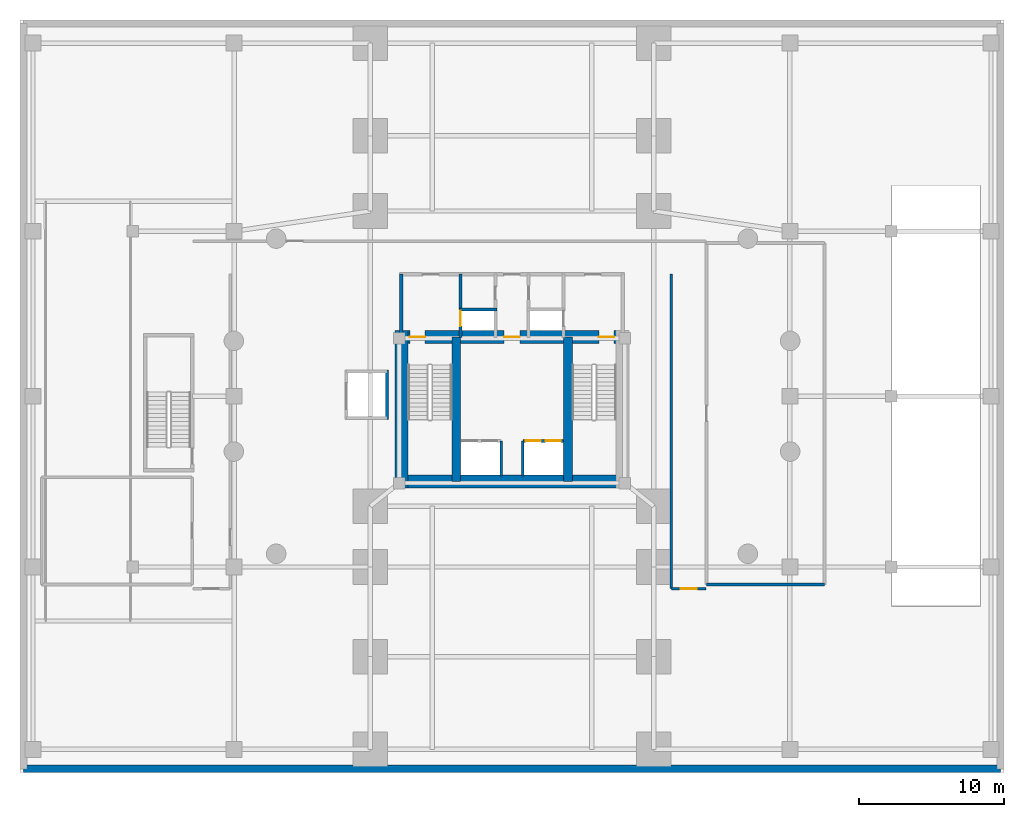
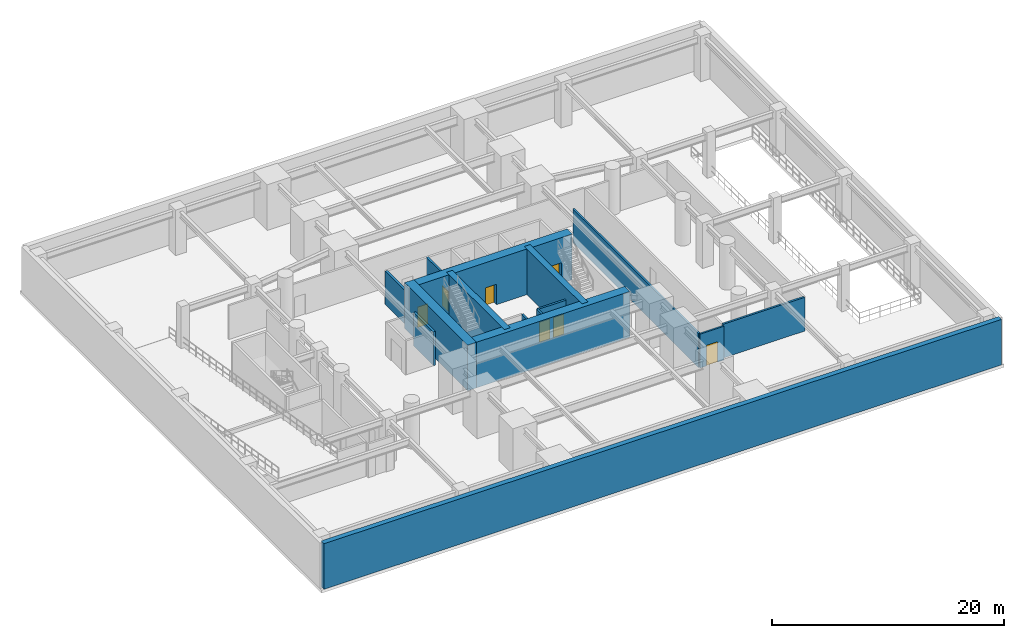
# One storey, part 3 of 7: 16 walls, 7 doors, 7 openings.
"""IFC4 building model written with IfcOpenShell, lengths in metres."""

from ifc_helpers import new_model, si_unit, direction, frame, frame_2d, origin, place, context, subcontext, project, spatial, rectangle, extrude, material, layer, layer_set, type_object, element, fill, save


model = new_model("IFC4")

# Units and contexts
model_context = context("Model", 3, precision=1e-05, world=origin(), true_north=direction((0.0, 1.0)))
body_context = subcontext(model_context, "Body", "Model", "MODEL_VIEW")
ifc_project = project(units=[si_unit("LENGTHUNIT", "METRE"), si_unit("AREAUNIT", "SQUARE_METRE"), si_unit("VOLUMEUNIT", "CUBIC_METRE"), si_unit("PLANEANGLEUNIT", "RADIAN"), si_unit("MASSUNIT", "GRAM", prefix="KILO"), si_unit("THERMODYNAMICTEMPERATUREUNIT", "KELVIN"), si_unit("POWERUNIT", "WATT")], contexts=[model_context])

# Site, building, storey
site_placement = place(None, origin())
site = spatial("IfcSite", under=ifc_project, at=site_placement, CompositionType="ELEMENT")
building_placement = place(site_placement, origin())
building = spatial("IfcBuilding", under=site, at=building_placement, Name="Ocrelia Relay Tower", CompositionType="ELEMENT")
storey_placement = place(building_placement, frame((0.0, 0.0, -4.800048828125)))
storey = spatial("IfcBuildingStorey", under=building, at=storey_placement, Name="B1", CompositionType="ELEMENT", Elevation=-4.800048828125)

# Wall
ifc_material_1 = material(Name="Concrete C70/85", Category="concrete")
ifc_layer_1 = layer(ifc_material_1, 0.89990234375, Name="Concrete C70/85")
ifc_layer_set_1 = layer_set([ifc_layer_1], Name="Concrete C70/85")
wall_type_1 = type_object("IfcWallType", Name="CW-CORE-900", PredefinedType="SHEAR", material=ifc_layer_set_1)
wall_1_placement = place(storey_placement, frame((25.922119140625, 20.112060546875, 0.0), z_axis=(0.0, 0.0, 1.0), x_axis=(1.0, 0.0, 0.0)))
element("IfcWall", 1, at=wall_1_placement, inside=storey, type_object=wall_type_1, Name="B1 Core Shear Wall S", PredefinedType="SHEAR", context=body_context, shape_type="SweptSolid", body=[
    extrude(rectangle(XDim=16.165771484375, YDim=0.89990234375, at=frame_2d((8.0830078125, 0.0))), origin(), (0.0, 0.0, 1.0), 4.800048828125),
])

# Wall, openings, doors
wall_2_placement = place(storey_placement, frame((25.922119140625, 30.087890625, 0.0), z_axis=(0.0, 0.0, 1.0), x_axis=(1.0, 0.0, 0.0)))
wall_2 = element("IfcWall", 2, at=wall_2_placement, inside=storey, type_object=wall_type_1, Name="B1 Core Shear Wall N", PredefinedType="SHEAR", context=body_context, shape_type="SweptSolid", body=[
    extrude(rectangle(XDim=16.165771484375, YDim=0.89990234375, at=frame_2d((8.0830078125, 0.0))), origin(), (0.0, 0.0, 1.0), 4.800048828125),
])
opening_1_placement = place(wall_2_placement, frame((1.028076171875, 0.0, 0.0)))
opening_1 = element("IfcOpeningElement", 3, at=opening_1_placement, cuts=wall_2, Name="Opening D-FD90", PredefinedType="OPENING", context=body_context, shape_type="SweptSolid", body=[
    extrude(rectangle(XDim=1.050048828125, YDim=2.14990234375, at=frame_2d((0.52490234375, 1.074951171875))), frame((0.0, 0.4599609375, 0.0), z_axis=(0.0, -1.0, 0.0), x_axis=(1.0, 0.0, 0.0)), (0.0, 0.0, 1.0), 0.919921875),
])
opening_2_placement = place(wall_2_placement, frame((14.077880859375, 0.0, 0.0)))
opening_2 = element("IfcOpeningElement", 4, at=opening_2_placement, cuts=wall_2, Name="Opening D-FD90", PredefinedType="OPENING", context=body_context, shape_type="SweptSolid", body=[
    extrude(rectangle(XDim=1.050048828125, YDim=2.14990234375, at=frame_2d((0.52490234375, 1.074951171875))), frame((0.0, 0.4599609375, 0.0), z_axis=(0.0, -1.0, 0.0), x_axis=(1.0, 0.0, 0.0)), (0.0, 0.0, 1.0), 0.919921875),
])
opening_3_placement = place(wall_2_placement, frame((7.528076171875, 0.0, 0.0)))
opening_3 = element("IfcOpeningElement", 5, at=opening_3_placement, cuts=wall_2, Name="Opening D-FD60", PredefinedType="OPENING", context=body_context, shape_type="SweptSolid", body=[
    extrude(rectangle(XDim=1.10009765625, YDim=2.14990234375, at=frame_2d((0.550048828125, 1.074951171875))), frame((0.0, 0.4599609375, 0.0), z_axis=(0.0, -1.0, 0.0), x_axis=(1.0, 0.0, 0.0)), (0.0, 0.0, 1.0), 0.919921875),
])
ifc_material_2 = material(Name="Timber-core 60-min acoustic fire door", Category="wood")
door_type_1 = type_object("IfcDoorType", Name="DR-LOBBY-FD60-1100", OperationType="NOTDEFINED", PredefinedType="DOOR", material=ifc_material_2)
door_1_placement = place(opening_3_placement, origin())
door_1 = element("IfcDoor", 6, at=door_1_placement, inside=storey, type_object=door_type_1, Name="B1 Core Lift Lobby North Fire Door", OperationType="SINGLE_SWING_LEFT", OverallHeight=2.14990234375, OverallWidth=1.10009765625, PredefinedType="DOOR", context=body_context, shape_type="SweptSolid", body=[
    extrude(rectangle(XDim=1.10009765625, YDim=2.14990234375, at=frame_2d((0.550048828125, 1.074951171875))), frame((0.0, 0.02490234375, 0.0), z_axis=(0.0, -1.0, 0.0), x_axis=(1.0, 0.0, 0.0)), (0.0, 0.0, 1.0), 0.050048828125),
])
fill(opening_3, door_1)
ifc_material_3 = material(Name="Steel S355 90-min fire door", Category="steel")
door_type_2 = type_object("IfcDoorType", Name="DR-STAIR-FD90-1050", OperationType="NOTDEFINED", PredefinedType="DOOR", material=ifc_material_3)
door_2_placement = place(opening_1_placement, origin())
door_2 = element("IfcDoor", 7, at=door_2_placement, inside=storey, type_object=door_type_2, Name="B1 Stair ST1 Fire Door", OperationType="SINGLE_SWING_LEFT", OverallHeight=2.14990234375, OverallWidth=1.050048828125, PredefinedType="DOOR", context=body_context, shape_type="SweptSolid", body=[
    extrude(rectangle(XDim=1.050048828125, YDim=2.14990234375, at=frame_2d((0.52490234375, 1.074951171875))), frame((0.0, 0.02490234375, 0.0), z_axis=(0.0, -1.0, 0.0), x_axis=(1.0, 0.0, 0.0)), (0.0, 0.0, 1.0), 0.050048828125),
])
fill(opening_1, door_2)
door_3_placement = place(opening_2_placement, origin())
door_3 = element("IfcDoor", 8, at=door_3_placement, inside=storey, type_object=door_type_2, Name="B1 Stair ST2 Fire Door", OperationType="SINGLE_SWING_RIGHT", OverallHeight=2.14990234375, OverallWidth=1.050048828125, PredefinedType="DOOR", context=body_context, shape_type="SweptSolid", body=[
    extrude(rectangle(XDim=1.050048828125, YDim=2.14990234375, at=frame_2d((0.52490234375, 1.074951171875))), frame((0.0, 0.02490234375, 0.0), z_axis=(0.0, -1.0, 0.0), x_axis=(1.0, 0.0, 0.0)), (0.0, 0.0, 1.0), 0.050048828125),
])
fill(opening_2, door_3)

# Walls
wall_3_placement = place(storey_placement, frame((26.3720703125, 19.662109375, 0.0), z_axis=(0.0, 0.0, 1.0), x_axis=(0.0, 1.0, 0.0)))
element("IfcWall", 9, at=wall_3_placement, inside=storey, type_object=wall_type_1, Name="B1 Core Shear Wall W", PredefinedType="SHEAR", context=body_context, shape_type="SweptSolid", body=[
    extrude(rectangle(XDim=10.8759765625, YDim=0.89990234375, at=frame_2d((5.43798828125, 0.0))), origin(), (0.0, 0.0, 1.0), 4.800048828125),
])
for number, where, z_axis, x_axis, name in (
    (10, (30.137939453125, 20.112060546875, 0.0), (0.0, 0.0, 1.0), (0.0, 1.0, 0.0), "B1 Core Shear Wall SPW"),
    (11, (37.8720703125, 20.112060546875, 0.0), (0.0, 0.0, 1.0), (0.0, 1.0, 0.0), "B1 Core Shear Wall SPE"),
):
    element("IfcWall", number, at=place(storey_placement, frame(where, z_axis=z_axis, x_axis=x_axis)), inside=storey, type_object=wall_type_1, Name=name, PredefinedType="SHEAR", context=body_context, shape_type="SweptSolid", body=[
        extrude(rectangle(XDim=9.975830078125, YDim=0.60009765625, at=frame_2d((4.98779296875, 0.0))), origin(), (0.0, 0.0, 1.0), 4.800048828125),
    ])
ifc_material_4 = material(Name="Gypsum Fireboard Partition EI60", Category="gypsum")
ifc_layer_2 = layer(ifc_material_4, 0.179931640625, Name="Gypsum Fireboard Partition EI60")
ifc_layer_set_2 = layer_set([ifc_layer_2], Name="Gypsum Fireboard Partition EI60")
wall_type_2 = type_object("IfcWallType", Name="W-CORR-EI60-180", PredefinedType="PARTITIONING", material=ifc_layer_set_2)
wall_4_placement = place(storey_placement, frame((45.010009765625, 12.699951171875, 0.0), z_axis=(0.0, 0.0, 1.0), x_axis=(0.0, 1.0, 0.0)))
element("IfcWall", 12, at=wall_4_placement, inside=storey, type_object=wall_type_2, Name="B1 Basement Corridor East Inner Wall", PredefinedType="PARTITIONING", context=body_context, shape_type="SweptSolid", body=[
    extrude(rectangle(XDim=21.72998046875, YDim=0.179931640625, at=frame_2d((10.864990234375, 0.0))), origin(), (0.0, 0.0, 1.0), 3.56005859375),
])

# Wall, opening, door
wall_5_placement = place(storey_placement, frame((45.010009765625, 12.699951171875, 0.0), z_axis=(0.0, 0.0, 1.0), x_axis=(1.0, 0.0, 0.0)))
wall_5 = element("IfcWall", 13, at=wall_5_placement, inside=storey, type_object=wall_type_2, Name="B1 Basement Corridor East South End Wall", PredefinedType="PARTITIONING", context=body_context, shape_type="SweptSolid", body=[
    extrude(rectangle(XDim=2.389892578125, YDim=0.179931640625, at=frame_2d((1.19482421875, 0.0))), origin(), (0.0, 0.0, 1.0), 3.56005859375),
])
opening_4_placement = place(wall_5_placement, frame((0.64990234375, 0.0, 0.0)))
opening_4 = element("IfcOpeningElement", 14, at=opening_4_placement, cuts=wall_5, Name="Opening D-FD60", PredefinedType="OPENING", context=body_context, shape_type="SweptSolid", body=[
    extrude(rectangle(XDim=1.10009765625, YDim=2.14990234375, at=frame_2d((0.550048828125, 1.074951171875))), frame((0.0, 0.10009765625, 0.0), z_axis=(0.0, -1.0, 0.0), x_axis=(1.0, 0.0, 0.0)), (0.0, 0.0, 1.0), 0.199951171875),
])
door_4_placement = place(opening_4_placement, origin())
door_4 = element("IfcDoor", 15, at=door_4_placement, inside=storey, type_object=door_type_1, Name="B1 Car Park East Aisle Fire Door", OperationType="SINGLE_SWING_LEFT", OverallHeight=2.14990234375, OverallWidth=1.10009765625, PredefinedType="DOOR", context=body_context, shape_type="SweptSolid", body=[
    extrude(rectangle(XDim=1.10009765625, YDim=2.14990234375, at=frame_2d((0.550048828125, 1.074951171875))), frame((0.0, 0.02490234375, 0.0), z_axis=(0.0, -1.0, 0.0), x_axis=(1.0, 0.0, 0.0)), (0.0, 0.0, 1.0), 0.050048828125),
])
fill(opening_4, door_4)

# Wall
ifc_material_5 = material(Name="Concrete C50/60", Category="concrete")
ifc_layer_3 = layer(ifc_material_5, 0.219970703125, Name="Concrete C50/60")
ifc_layer_set_3 = layer_set([ifc_layer_3], Name="Concrete C50/60")
wall_type_3 = type_object("IfcWallType", Name="W-FFL-EI120-220", PredefinedType="SOLIDWALL", material=ifc_layer_set_3)
wall_6_placement = place(storey_placement, frame((26.35009765625, 30.050048828125, 0.0), z_axis=(0.0, 0.0, 1.0), x_axis=(0.0, 1.0, 0.0)))
element("IfcWall", 16, at=wall_6_placement, inside=storey, type_object=wall_type_3, Name="B1 W Fire Service Lift Lobby West Wall", PredefinedType="SOLIDWALL", context=body_context, shape_type="SweptSolid", body=[
    extrude(rectangle(XDim=4.3798828125, YDim=0.219970703125, at=frame_2d((2.18994140625, 0.0))), origin(), (0.0, 0.0, 1.0), 3.56005859375),
])

# Wall, opening, door
wall_7_placement = place(storey_placement, frame((30.43994140625, 30.050048828125, 0.0), z_axis=(0.0, 0.0, 1.0), x_axis=(0.0, 1.0, 0.0)))
wall_7 = element("IfcWall", 17, at=wall_7_placement, inside=storey, type_object=wall_type_3, Name="B1 W Fire Service Lift Lobby East Wall", PredefinedType="SOLIDWALL", context=body_context, shape_type="SweptSolid", body=[
    extrude(rectangle(XDim=4.3798828125, YDim=0.219970703125, at=frame_2d((2.18994140625, 0.0))), origin(), (0.0, 0.0, 1.0), 3.56005859375),
])
opening_5_placement = place(wall_7_placement, frame((0.800048828125, 0.0, 0.0)))
opening_5 = element("IfcOpeningElement", 18, at=opening_5_placement, cuts=wall_7, Name="Opening LD-FFL1", PredefinedType="OPENING", context=body_context, shape_type="SweptSolid", body=[
    extrude(rectangle(XDim=1.050048828125, YDim=2.10009765625, at=frame_2d((0.52490234375, 1.050048828125))), frame((0.0, 0.1201171875, 0.0), z_axis=(0.0, -1.0, 0.0), x_axis=(1.0, 0.0, 0.0)), (0.0, 0.0, 1.0), 0.239990234375),
])
ifc_material_6 = material(Name="Brushed stainless steel S355 lift landing door", Category="steel")
door_type_3 = type_object("IfcDoorType", Name="DR-LIFT-LAND-1050", OperationType="DOUBLE_DOOR_SLIDING", PredefinedType="USERDEFINED", material=ifc_material_6)
door_5_placement = place(opening_5_placement, origin())
door_5 = element("IfcDoor", 19, at=door_5_placement, inside=storey, type_object=door_type_3, Name="B1 Firefighting Lift FFL1 Sliding Landing Door", ObjectType="LANDING DOOR", OperationType="DOUBLE_DOOR_SLIDING", OverallHeight=2.10009765625, OverallWidth=1.050048828125, PredefinedType="USERDEFINED", context=body_context, shape_type="SweptSolid", body=[
    extrude(rectangle(XDim=1.050048828125, YDim=2.10009765625, at=frame_2d((0.52490234375, 1.050048828125))), frame((0.0, 0.02490234375, 0.0), z_axis=(0.0, -1.0, 0.0), x_axis=(1.0, 0.0, 0.0)), (0.0, 0.0, 1.0), 0.050048828125),
])
fill(opening_5, door_5)

# Walls
ifc_layer_4 = layer(ifc_material_5, 0.5, Name="Concrete C50/60")
ifc_layer_set_4 = layer_set([ifc_layer_4], Name="Concrete C50/60")
wall_type_4 = type_object("IfcWallType", Name="W-RET-500", PredefinedType="SOLIDWALL", material=ifc_layer_set_4)
wall_8_placement = place(storey_placement, frame((0.25, 0.25, 0.0), z_axis=(0.0, 0.0, 1.0), x_axis=(1.0, 0.0, 0.0)))
element("IfcWall", 20, at=wall_8_placement, inside=storey, type_object=wall_type_4, Name="B1 Perimeter Retaining Wall S", PredefinedType="SOLIDWALL", context=body_context, shape_type="SweptSolid", body=[
    extrude(rectangle(XDim=67.5, YDim=0.5, at=frame_2d((33.75, 0.0))), origin(), (0.0, 0.0, 1.0), 4.800048828125),
])
ifc_layer_5 = layer(ifc_material_5, 0.199951171875, Name="Concrete C50/60")
ifc_layer_set_5 = layer_set([ifc_layer_5], Name="Concrete C50/60")
wall_type_5 = type_object("IfcWallType", Name="W-SHAFT-EI120-200", PredefinedType="SOLIDWALL", material=ifc_layer_set_5)
wall_9_placement = place(storey_placement, frame((30.39990234375, 32.0, 0.0), z_axis=(0.0, 0.0, 1.0), x_axis=(1.0, 0.0, 0.0)))
element("IfcWall", 21, at=wall_9_placement, inside=storey, type_object=wall_type_5, Name="B1 FFL1 Hoistway North Wall", PredefinedType="SOLIDWALL", context=body_context, shape_type="SweptSolid", body=[
    extrude(rectangle(XDim=2.550048828125, YDim=0.199951171875, at=frame_2d((1.27490234375, 0.0))), origin(), (0.0, 0.0, 1.0), 3.56005859375),
])
wall_10_placement = place(storey_placement, frame((33.25, 20.5, 0.0), z_axis=(0.0, 0.0, 1.0), x_axis=(0.0, 1.0, 0.0)))
element("IfcWall", 22, at=wall_10_placement, inside=storey, type_object=wall_type_5, Name="B1 Low-Rise Lift Throat Wall W", PredefinedType="SOLIDWALL", context=body_context, shape_type="SweptSolid", body=[
    extrude(rectangle(XDim=2.419921875, YDim=0.179931640625, at=frame_2d((1.2099609375, 0.0))), origin(), (0.0, 0.0, 1.0), 3.56005859375),
])

# Wall, openings, doors
wall_11_placement = place(storey_placement, frame((34.75, 22.919921875, 0.0), z_axis=(0.0, 0.0, 1.0), x_axis=(1.0, 0.0, 0.0)))
wall_11 = element("IfcWall", 23, at=wall_11_placement, inside=storey, type_object=wall_type_5, Name="B1 Low-Rise Lift Hoistway Wall E", PredefinedType="SOLIDWALL", context=body_context, shape_type="SweptSolid", body=[
    extrude(rectangle(XDim=2.81005859375, YDim=0.199951171875, at=frame_2d((1.405029296875, 0.0))), origin(), (0.0, 0.0, 1.0), 3.56005859375),
])
opening_6_placement = place(wall_11_placement, frame((0.18994140625, 0.0, 0.0)))
opening_6 = element("IfcOpeningElement", 24, at=opening_6_placement, cuts=wall_11, Name="Opening LD-PL3", PredefinedType="OPENING", context=body_context, shape_type="SweptSolid", body=[
    extrude(rectangle(XDim=1.050048828125, YDim=2.10009765625, at=frame_2d((0.52490234375, 1.050048828125))), frame((0.0, 0.10986328125, 0.0), z_axis=(0.0, -1.0, 0.0), x_axis=(1.0, 0.0, 0.0)), (0.0, 0.0, 1.0), 0.219970703125),
])
opening_7_placement = place(wall_11_placement, frame((1.570068359375, 0.0, 0.0)))
opening_7 = element("IfcOpeningElement", 25, at=opening_7_placement, cuts=wall_11, Name="Opening LD-PL4", PredefinedType="OPENING", context=body_context, shape_type="SweptSolid", body=[
    extrude(rectangle(XDim=1.050048828125, YDim=2.10009765625, at=frame_2d((0.52490234375, 1.050048828125))), frame((0.0, 0.10986328125, 0.0), z_axis=(0.0, -1.0, 0.0), x_axis=(1.0, 0.0, 0.0)), (0.0, 0.0, 1.0), 0.219970703125),
])
door_6_placement = place(opening_6_placement, origin())
door_6 = element("IfcDoor", 26, at=door_6_placement, inside=storey, type_object=door_type_3, Name="B1 Passenger Lift PL3 Sliding Landing Door", ObjectType="LANDING DOOR", OperationType="DOUBLE_DOOR_SLIDING", OverallHeight=2.10009765625, OverallWidth=1.050048828125, PredefinedType="USERDEFINED", context=body_context, shape_type="SweptSolid", body=[
    extrude(rectangle(XDim=1.050048828125, YDim=2.10009765625, at=frame_2d((0.52490234375, 1.050048828125))), frame((0.0, 0.02490234375, 0.0), z_axis=(0.0, -1.0, 0.0), x_axis=(1.0, 0.0, 0.0)), (0.0, 0.0, 1.0), 0.050048828125),
])
fill(opening_6, door_6)
door_7_placement = place(opening_7_placement, origin())
door_7 = element("IfcDoor", 27, at=door_7_placement, inside=storey, type_object=door_type_3, Name="B1 Passenger Lift PL4 Sliding Landing Door", ObjectType="LANDING DOOR", OperationType="DOUBLE_DOOR_SLIDING", OverallHeight=2.10009765625, OverallWidth=1.050048828125, PredefinedType="USERDEFINED", context=body_context, shape_type="SweptSolid", body=[
    extrude(rectangle(XDim=1.050048828125, YDim=2.10009765625, at=frame_2d((0.52490234375, 1.050048828125))), frame((0.0, 0.02490234375, 0.0), z_axis=(0.0, -1.0, 0.0), x_axis=(1.0, 0.0, 0.0)), (0.0, 0.0, 1.0), 0.050048828125),
])
fill(opening_7, door_7)

# Walls
wall_12_placement = place(storey_placement, frame((34.75, 20.5, 0.0), z_axis=(0.0, 0.0, 1.0), x_axis=(0.0, 1.0, 0.0)))
element("IfcWall", 28, at=wall_12_placement, inside=storey, type_object=wall_type_5, Name="B1 Low-Rise Lift Throat Wall E", PredefinedType="SOLIDWALL", context=body_context, shape_type="SweptSolid", body=[
    extrude(rectangle(XDim=2.419921875, YDim=0.179931640625, at=frame_2d((1.2099609375, 0.0))), origin(), (0.0, 0.0, 1.0), 3.56005859375),
])
wall_13_placement = place(storey_placement, frame((25.35009765625, 24.39990234375, 0.0), z_axis=(0.0, 0.0, 1.0), x_axis=(0.0, 1.0, 0.0)))
element("IfcWall", 29, at=wall_13_placement, inside=storey, type_object=wall_type_5, Name="B1 Goods Lift Shaft E Wall", PredefinedType="SOLIDWALL", context=body_context, shape_type="SweptSolid", body=[
    extrude(rectangle(XDim=3.400146484375, YDim=0.199951171875, at=frame_2d((1.7001953125, 0.0))), origin(), (0.0, 0.0, 1.0), 3.56005859375),
])
wall_14_placement = place(storey_placement, frame((47.449951171875, 13.0, 0.0), z_axis=(0.0, 0.0, 1.0), x_axis=(1.0, 0.0, 0.0)))
element("IfcWall", 30, at=wall_14_placement, inside=storey, type_object=wall_type_5, Name="B1 Medium Voltage Transformer Substation S Partition", PredefinedType="SOLIDWALL", context=body_context, shape_type="SweptSolid", body=[
    extrude(rectangle(XDim=8.150146484375, YDim=0.199951171875, at=frame_2d((4.0751953125, 0.0))), origin(), (0.0, 0.0, 1.0), 3.56005859375),
])

save(model, "model.ifc")
